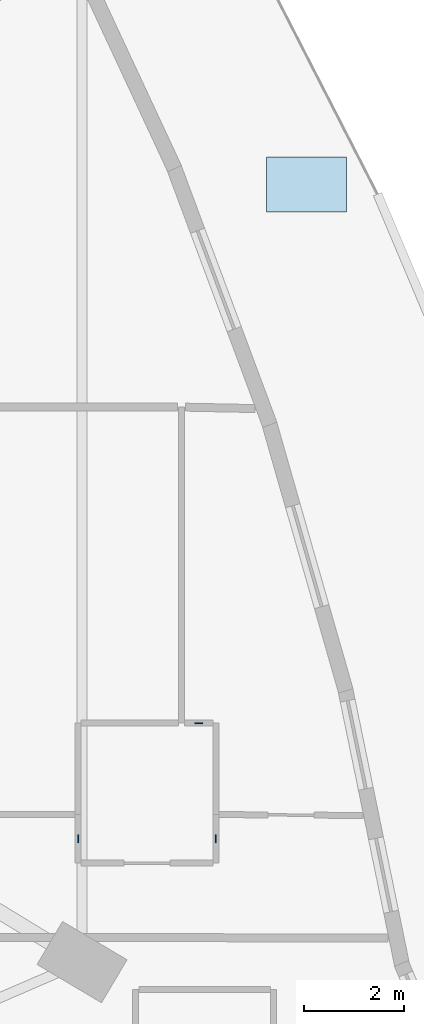
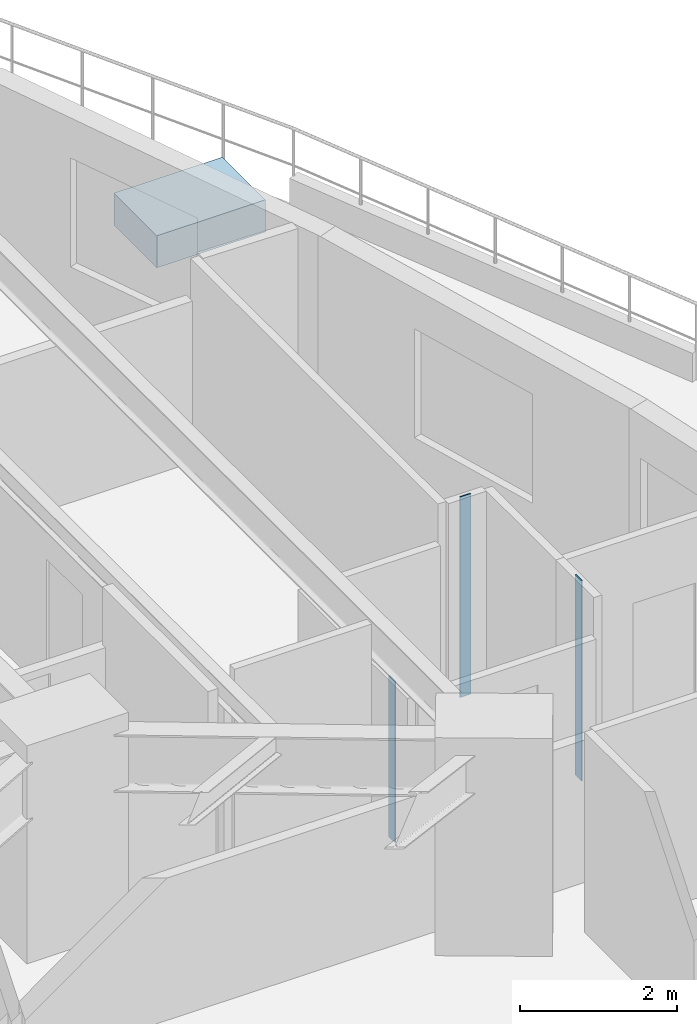
# One storey, part 6 of 17: 3 plates, 1 slab.
"""IFC4 building model written with IfcOpenShell, lengths in metres."""

from ifc_helpers import new_model, si_unit, direction, frame, origin, origin_2d, place, context, subcontext, project, spatial, polyline, rectangle, outline, extrude, material, layer, layer_set, type_object, element, save


model = new_model("IFC4")

# Units and contexts
model_context = context("Model", 3, precision=1e-05, world=origin(), true_north=direction((0.0, 1.0)))
body_context = subcontext(model_context, "Body", "Model", "MODEL_VIEW")
ifc_project = project(units=[si_unit("LENGTHUNIT", "METRE"), si_unit("AREAUNIT", "SQUARE_METRE"), si_unit("VOLUMEUNIT", "CUBIC_METRE"), si_unit("PLANEANGLEUNIT", "RADIAN"), si_unit("MASSUNIT", "GRAM", prefix="KILO")], contexts=[model_context])

# Site, building, storey
site_placement = place(None, origin())
site = spatial("IfcSite", under=ifc_project, at=site_placement, CompositionType="ELEMENT")
building_placement = place(site_placement, origin())
building = spatial("IfcBuilding", under=site, at=building_placement, Name="Miruveldt Soraemaru", CompositionType="ELEMENT")
storey_placement = place(building_placement, frame((0.0, 0.0, 29.199951171875)))
storey = spatial("IfcBuildingStorey", under=building, at=storey_placement, Name="L07", CompositionType="ELEMENT", Elevation=29.199951171875)

# Plates
ifc_material_1 = material(Name="Anodised aluminium EN AW-6063 T6", Category="aluminium")
ifc_layer_1 = layer(ifc_material_1, 0.02001953125, Name="Anodised aluminium EN AW-6063 T6", Category="aluminium")
ifc_layer_set_1 = layer_set([ifc_layer_1], Name="Anodised aluminium EN AW-6063 T6")
plate_type = type_object("IfcPlateType", Name="PLT-PART-TRIM", PredefinedType="SHEET", material=ifc_layer_set_1)
plate_1_placement = place(storey_placement, frame((64.030029296875, 35.364990234375, 0.0), z_axis=(0.0, 0.0, 1.0), x_axis=(0.0, 1.0, 0.0)))
element("IfcPlate", 1, at=plate_1_placement, inside=storey, type_object=plate_type, Name="L07 Partition Step Corner Trim Plate 073", PredefinedType="SHEET", context=body_context, shape_type="SweptSolid", body=[
    extrude(rectangle(XDim=0.159912109375, YDim=0.02001953125, at=origin_2d()), origin(), (0.0, 0.0, 1.0), 3.125),
])
plate_2_placement = place(storey_placement, frame((61.280029296875, 35.364990234375, 0.0), z_axis=(0.0, 0.0, 1.0), x_axis=(0.0, -1.0, 0.0)))
element("IfcPlate", 2, at=plate_2_placement, inside=storey, type_object=plate_type, Name="L07 Partition Step Corner Trim Plate 074", PredefinedType="SHEET", context=body_context, shape_type="SweptSolid", body=[
    extrude(rectangle(XDim=0.159912109375, YDim=0.02001953125, at=origin_2d()), origin(), (0.0, 0.0, 1.0), 2.512939453125),
])
plate_3_placement = place(storey_placement, frame((63.68896484375, 37.679931640625, 0.0), z_axis=(0.0, 0.0, 1.0), x_axis=(-1.0, 0.0, 0.0)))
element("IfcPlate", 3, at=plate_3_placement, inside=storey, type_object=plate_type, Name="L07 Partition Step Corner Trim Plate 083", PredefinedType="SHEET", context=body_context, shape_type="SweptSolid", body=[
    extrude(rectangle(XDim=0.159912109375, YDim=0.02001953125, at=origin_2d()), origin(), (0.0, 0.0, 1.0), 3.125),
])

# Slab
ifc_material_2 = material(Name="Precast concrete C45/55 (45 MPa)", Category="concrete")
ifc_layer_2 = layer(ifc_material_2, 0.179931640625, Name="Precast concrete C45/55 (45 MPa)", Category="concrete")
ifc_layer_set_2 = layer_set([ifc_layer_2], Name="Precast concrete C45/55 (45 MPa)")
slab_type = type_object("IfcSlabType", Name="SLAB-PLTR-180", PredefinedType="USERDEFINED", material=ifc_layer_set_2)
slab_placement = place(storey_placement, origin())
element("IfcSlab", 4, at=slab_placement, inside=storey, type_object=slab_type, Name="L07 Terrace Planter Bed PLANTER 3", ObjectType="PLANTER", PredefinedType="USERDEFINED", context=body_context, shape_type="SweptSolid", body=[
    extrude(outline(polyline([(65.0400390625, 47.89794921875), (66.639892578125, 47.89794921875), (66.639892578125, 48.998046875), (65.0400390625, 48.998046875), (65.0400390625, 47.89794921875)])), origin(), (0.0, 0.0, 1.0), 0.5),
])

save(model, "model.ifc")
